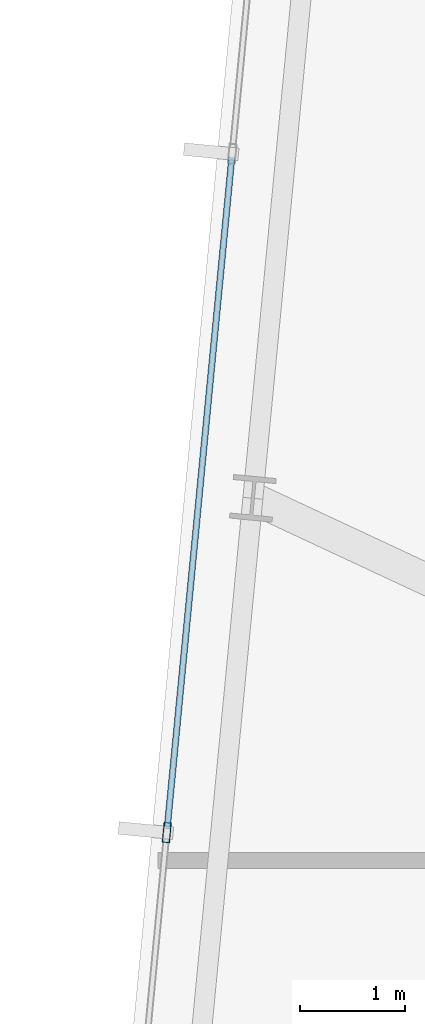
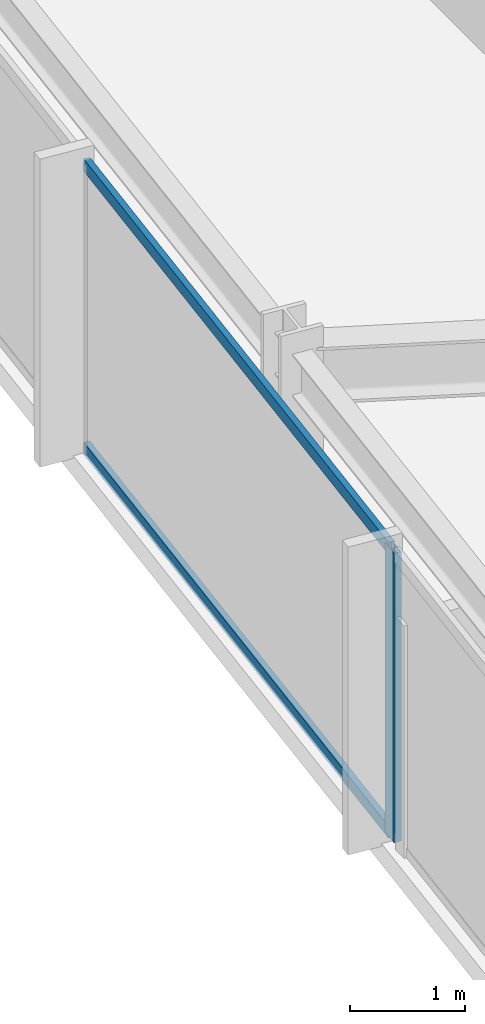
# One storey, part 8 of 37: 3 members, 1 element without a shape of its own.
"""IFC4 building model written with IfcOpenShell, lengths in metres."""

from ifc_helpers import new_model, si_unit, direction, frame, origin, origin_2d, place, context, subcontext, project, spatial, hollow_rectangle, extrude, material, material_profile, profile_set, type_object, element, aggregate, save


model = new_model("IFC4")

# Units and contexts
model_context = context("Model", 3, precision=1e-05, world=origin(), true_north=direction((0.0, 1.0)))
body_context = subcontext(model_context, "Body", "Model", "MODEL_VIEW")
ifc_project = project(units=[si_unit("LENGTHUNIT", "METRE"), si_unit("AREAUNIT", "SQUARE_METRE"), si_unit("VOLUMEUNIT", "CUBIC_METRE"), si_unit("PLANEANGLEUNIT", "RADIAN"), si_unit("MASSUNIT", "GRAM", prefix="KILO")], contexts=[model_context])

# Site, building, storey
site_placement = place(None, origin())
site = spatial("IfcSite", under=ifc_project, at=site_placement, CompositionType="ELEMENT")
building_placement = place(site_placement, origin())
building = spatial("IfcBuilding", under=site, at=building_placement, Name="Yelkora Congress Tower", CompositionType="ELEMENT")
storey_placement = place(building_placement, frame((0.0, 0.0, 182.0)))
storey = spatial("IfcBuildingStorey", under=building, at=storey_placement, Name="L50", CompositionType="ELEMENT", Elevation=182.0)

# Curtain wall, members
ifc_material_1 = material(Name="Anodised aluminium and insulated glass", Category="aluminium")
curtain_wall_type = type_object("IfcCurtainWallType", Name="CW-SYS-B3", PredefinedType="NOTDEFINED", material=ifc_material_1)
curtain_wall_placement = place(storey_placement, origin())
curtain_wall = element("IfcCurtainWall", 1, at=curtain_wall_placement, inside=storey, type_object=curtain_wall_type, Name="L50 Unitised Curtain Wall 5", PredefinedType="NOTDEFINED")
ifc_material_2 = material(Name="Anodised aluminium 6063-T6", Category="aluminium")
ifc_material_profile_1 = material_profile(ifc_material_2, hollow_rectangle(XDim=0.070068359375, YDim=0.18994140625, WallThickness=0.00390625, at=origin_2d()), Name="ALU 70x190x4")
ifc_profile_set_1 = profile_set([ifc_material_profile_1], Name="Anodised aluminium 6063-T6")
member_type_1 = type_object("IfcMemberType", Name="MEM-ML-B3", PredefinedType="MULLION", material=ifc_profile_set_1)
member_1_placement = place(storey_placement, frame((2.546142578125, 29.416259765625, 0.0), z_axis=(0.0, 0.0, 1.0), x_axis=(-0.995396242473, 0.095845294465, 0.0)))
member_1 = element("IfcMember", 2, at=member_1_placement, type_object=member_type_1, Name="CW-B3 mullion 3", PredefinedType="MULLION", context=body_context, shape_type="SweptSolid", body=[
    extrude(hollow_rectangle(XDim=0.070068359375, YDim=0.18994140625, WallThickness=0.00390625, at=origin_2d()), origin(), (0.0, 0.0, 1.0), 3.080078125),
])
ifc_material_profile_2 = material_profile(ifc_material_2, hollow_rectangle(XDim=0.06005859375, YDim=0.1298828125, WallThickness=0.00390625, at=origin_2d()), Name="ALU 60x130x4")
ifc_profile_set_2 = profile_set([ifc_material_profile_2], Name="Anodised aluminium 6063-T6")
member_type_2 = type_object("IfcMemberType", Name="MEM-TR-B3", PredefinedType="USERDEFINED", material=ifc_profile_set_2)
member_2_placement = place(storey_placement, frame((2.549560546875, 29.450927734375, 0.030029296875), z_axis=(0.095843682057, 0.995396397728, 0.0), x_axis=(-0.995396397728, 0.095843682057, 0.0)))
member_2 = element("IfcMember", 3, at=member_2_placement, type_object=member_type_2, Name="CW-B3 transom 3.1", ObjectType="TRANSOM", PredefinedType="USERDEFINED", context=body_context, shape_type="SweptSolid", body=[
    extrude(hollow_rectangle(XDim=0.06005859375, YDim=0.1298828125, WallThickness=0.00390625, at=origin_2d()), origin(), (0.0, 0.0, 1.0), 6.4140625),
])
member_3_placement = place(storey_placement, frame((2.549560546875, 29.450927734375, 3.050048828125), z_axis=(0.095843682057, 0.995396397728, 0.0), x_axis=(-0.995396397728, 0.095843682057, 0.0)))
member_3 = element("IfcMember", 4, at=member_3_placement, type_object=member_type_2, Name="CW-B3 transom 3.2", ObjectType="TRANSOM", PredefinedType="USERDEFINED", context=body_context, shape_type="SweptSolid", body=[
    extrude(hollow_rectangle(XDim=0.06005859375, YDim=0.1298828125, WallThickness=0.00390625, at=origin_2d()), origin(), (0.0, 0.0, 1.0), 6.4140625),
])
aggregate(curtain_wall, [member_1, member_2, member_3])

save(model, "model.ifc")
